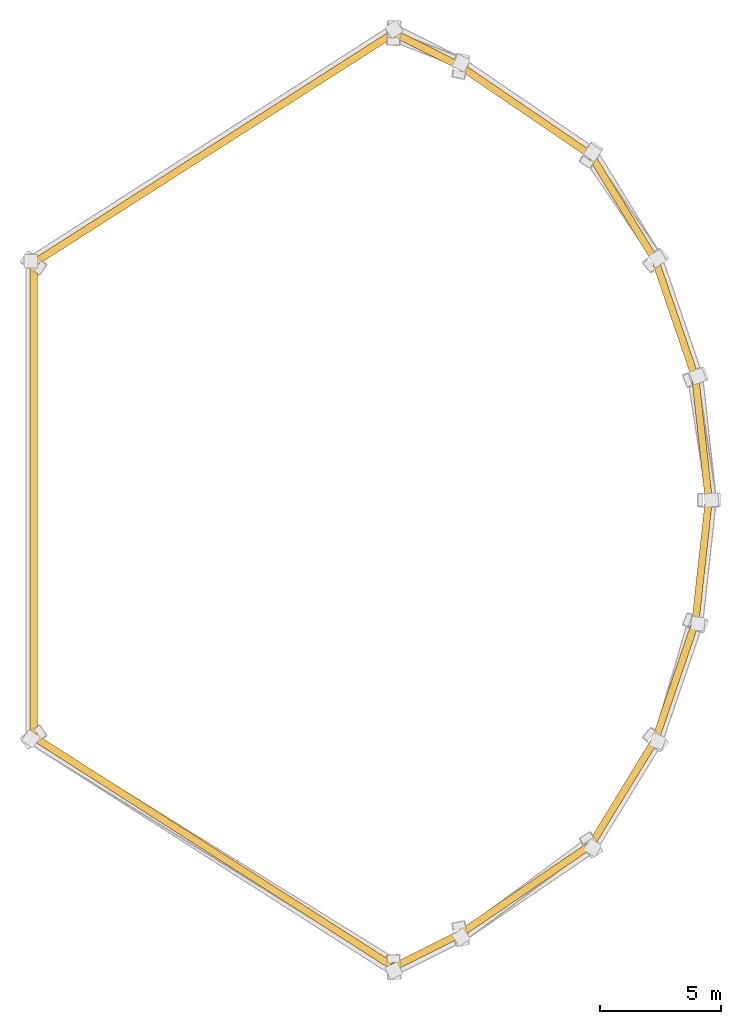
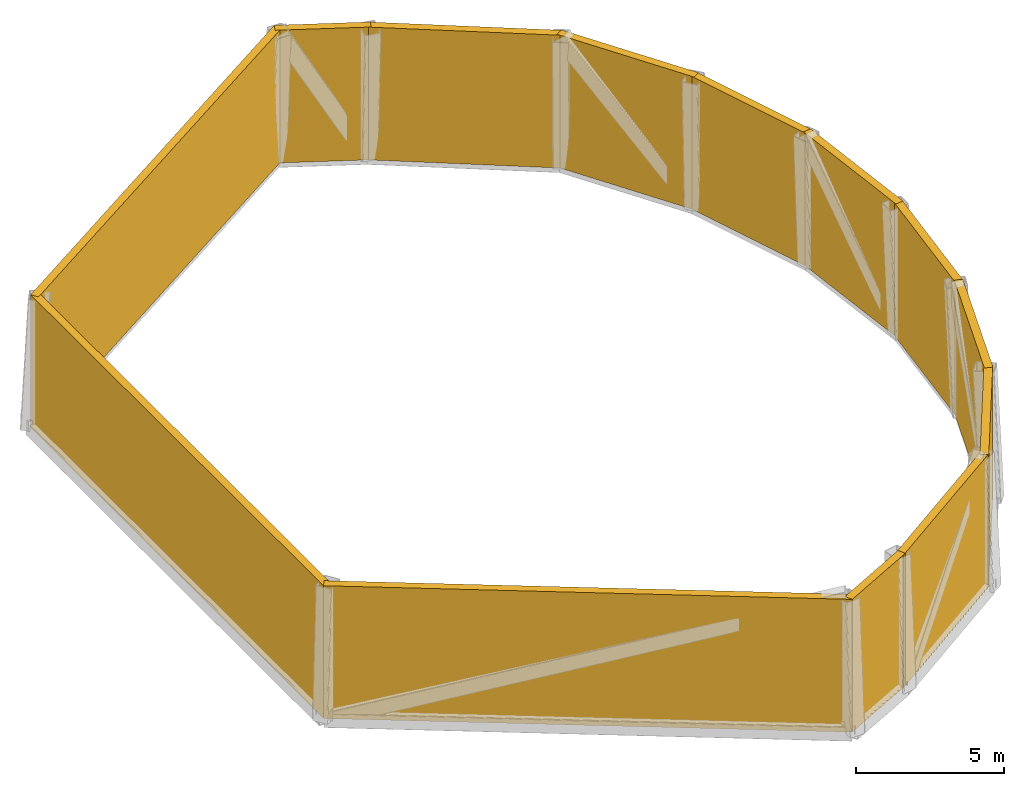
# One storey, part 2 of 2: 13 shading devices.
"""IFC4 building model written with IfcOpenShell, lengths in metres."""

import ifcopenshell
import ifcopenshell.guid

model = None  # the IFC model being written
_history = None  # IfcOwnerHistory: only IFC2X3 demands one
_inside = {}  # id of a spatial element -> (the spatial element, [elements in it])
_under = {}  # id of a project, library or spatial element -> (it, [spatial elements below it])
_declared = {}  # id of a project -> (the project, [libraries it declares])
_typed = {}  # id of a type object -> (the type object, [elements of that type])
_made_of = {}  # id of a material, layer set ... -> (it, [elements and type objects made of it])


def new_model(schema):
    """Start an empty IFC model of exactly this schema.

    Asked for "IFC4X3", IfcOpenShell would pick the latest addendum, in which some entities
    have other attributes; the version numbers below select the first issue.
    IFC2X3 requires an IfcOwnerHistory on every rooted entity: one is made here for all.
    """
    global model, _history
    if schema == "IFC4X3":
        model = ifcopenshell.file(schema_version=(4, 3, 0, 0))
    else:
        model = ifcopenshell.file(schema=schema)
    _inside.clear()
    _under.clear()
    _declared.clear()
    _typed.clear()
    _made_of.clear()
    _history = None
    if model.schema == "IFC2X3":
        org = make("IfcOrganization", Name="unknown")
        user = make(
            "IfcPersonAndOrganization",
            ThePerson=make("IfcPerson", FamilyName="unknown"),
            TheOrganization=org,
        )
        app = make(
            "IfcApplication",
            ApplicationDeveloper=org,
            Version="unknown",
            ApplicationFullName="unknown",
            ApplicationIdentifier="unknown",
        )
        _history = make(
            "IfcOwnerHistory",
            OwningUser=user,
            OwningApplication=app,
            ChangeAction="ADDED",
            CreationDate=0,
        )
    return model


def make(cls, **values):
    """One entity of the class cls with the attributes given. An attribute that is None is left unset."""
    return model.create_entity(
        cls, **{name: value for name, value in values.items() if value is not None}
    )


def rooted(cls, **values):
    """An entity with a GlobalId (a new one), such as an element, a storey or a relation."""
    return make(cls, GlobalId=ifcopenshell.guid.new(), OwnerHistory=_history, **values)


def si_unit(unit_type, name, prefix=None):
    """IfcSIUnit, for example si_unit("LENGTHUNIT", "METRE", prefix="MILLI")."""
    return make("IfcSIUnit", UnitType=unit_type, Prefix=prefix, Name=name)


def assignment(units):
    """IfcUnitAssignment: the units of a project."""
    return None if units is None else make("IfcUnitAssignment", Units=units)


def point(xyz):
    """IfcCartesianPoint."""
    return None if xyz is None else make("IfcCartesianPoint", Coordinates=xyz)


def direction(xyz):
    """IfcDirection."""
    return None if xyz is None else make("IfcDirection", DirectionRatios=xyz)


def frame(location, z_axis=None, x_axis=None):
    """IfcAxis2Placement3D, a coordinate frame: its origin and axes. An axis left out is left unset."""
    return make(
        "IfcAxis2Placement3D",
        Location=point(location),
        Axis=direction(z_axis),
        RefDirection=direction(x_axis),
    )


def frame_2d(location, x_axis=None):
    """IfcAxis2Placement2D, a coordinate frame in the plane: its origin and x axis."""
    return make(
        "IfcAxis2Placement2D", Location=point(location), RefDirection=direction(x_axis)
    )


def origin():
    """The frame at (0, 0, 0) with its axes left unset."""
    return frame((0.0, 0.0, 0.0))


def origin_2d():
    """The frame at (0, 0) in the plane with its x axis left unset."""
    return frame_2d((0.0, 0.0))


def place(relative_to, where):
    """IfcLocalPlacement: puts the frame where relative to a parent placement (None: the world)."""
    return make(
        "IfcLocalPlacement", PlacementRelTo=relative_to, RelativePlacement=where
    )


def context(
    kind, dimensions, precision=None, world=None, true_north=None, identifier=None
):
    """IfcGeometricRepresentationContext, for example the 3D "Model" context."""
    return make(
        "IfcGeometricRepresentationContext",
        ContextIdentifier=identifier,
        ContextType=kind,
        CoordinateSpaceDimension=dimensions,
        Precision=precision,
        WorldCoordinateSystem=world,
        TrueNorth=true_north,
    )


def subcontext(parent, identifier, kind, view, scale=None):
    """IfcGeometricRepresentationSubContext, for example "Body" below "Model"."""
    return make(
        "IfcGeometricRepresentationSubContext",
        ContextIdentifier=identifier,
        ContextType=kind,
        ParentContext=parent,
        TargetScale=scale,
        TargetView=view,
    )


def project(units=None, contexts=None):
    """IfcProject with its units and contexts."""
    return rooted(
        "IfcProject",
        Name="project",
        RepresentationContexts=contexts,
        UnitsInContext=assignment(units),
    )


def spatial(cls, under=None, at=None, **own):
    """A site, building, storey or space (cls), placed at a placement, below another one or the project."""
    s = rooted(cls, ObjectPlacement=at, **own)
    if under is not None:
        _under.setdefault(under.id(), (under, []))[1].append(s)
    return s


def profile(cls, at=None, kind="AREA", **sizes):
    """A parametric profile (cls). Its sizes go by their IFC names, for example OverallWidth=200.0."""
    return make(cls, ProfileType=kind, Position=at, **sizes)


def rectangle(**sizes):
    """IfcRectangleProfileDef."""
    return profile("IfcRectangleProfileDef", **sizes)


def extrude(swept, where, along, depth):
    """IfcExtrudedAreaSolid: the profile swept, set in the frame where, extruded along a direction by depth."""
    return make(
        "IfcExtrudedAreaSolid",
        SweptArea=swept,
        Position=where,
        ExtrudedDirection=direction(along),
        Depth=depth,
    )


def shape(context_of_items, identifier, shape_type, items):
    """IfcShapeRepresentation: the items that make up one representation, for example the "Body"."""
    return make(
        "IfcShapeRepresentation",
        ContextOfItems=context_of_items,
        RepresentationIdentifier=identifier,
        RepresentationType=shape_type,
        Items=items,
    )


def material(Name=None, Category=None):
    """IfcMaterial."""
    return make("IfcMaterial", Name=Name, Category=Category)


def made_of(thing, what):
    """Note that an element or type object is made of a material, layer set ...; save() writes the relation."""
    if what is not None:
        _made_of.setdefault(what.id(), (what, []))[1].append(thing)
    return thing


def type_object(cls, material=None, **own):
    """A type object (cls), such as IfcWallType, which elements share."""
    return made_of(rooted(cls, **own), material)


def element(
    cls,
    number,
    at=None,
    inside=None,
    cuts=None,
    type_object=None,
    material=None,
    context=None,
    identifier="Body",
    shape_type=None,
    held_by="IfcProductDefinitionShape",
    body=None,
    shapes=None,
    **own,
):
    """One element of the class cls, such as IfcWall. Its Tag is "e" and its number.

    at: its placement. inside: the storey or other place that contains it. cuts: it is an
    opening in that element (IfcRelVoidsElement). A single representation is given by context,
    identifier, shape_type and body (its items); several are given by shapes. held_by: the class
    of the entity that holds the representations. save() writes the other relations.
    """
    e = rooted(cls, Tag="e%d" % number, ObjectPlacement=at, **own)
    if body is not None:
        shapes = [shape(context, identifier, shape_type, body)]
    if shapes is not None:
        e.Representation = make(held_by, Representations=shapes)
    if inside is not None:
        _inside.setdefault(inside.id(), (inside, []))[1].append(e)
    if cuts is not None:
        rooted(
            "IfcRelVoidsElement", RelatingBuildingElement=cuts, RelatedOpeningElement=e
        )
    if type_object is not None:
        _typed.setdefault(type_object.id(), (type_object, []))[1].append(e)
    return made_of(e, material)


def aggregate(whole, parts):
    """IfcRelAggregates: a whole, such as a stair, and the parts it consists of."""
    return rooted("IfcRelAggregates", RelatingObject=whole, RelatedObjects=parts)


def save(model, path):
    """Write the relations noted so far, then the file.

    IfcRelAggregates (storeys below a building ...), IfcRelContainedInSpatialStructure (elements
    in a storey), IfcRelDefinesByType, IfcRelAssociatesMaterial and IfcRelDeclares: one each for
    every whole, place, type object, material and project.
    """
    for whole, parts in _under.values():
        aggregate(whole, parts)
    for where, things in _inside.values():
        rooted(
            "IfcRelContainedInSpatialStructure",
            RelatedElements=things,
            RelatingStructure=where,
        )
    for kind, things in _typed.values():
        rooted("IfcRelDefinesByType", RelatedObjects=things, RelatingType=kind)
    for what, things in _made_of.values():
        rooted("IfcRelAssociatesMaterial", RelatedObjects=things, RelatingMaterial=what)
    for by, libraries in _declared.values():
        rooted("IfcRelDeclares", RelatingContext=by, RelatedDefinitions=libraries)
    model.write(path)


model = new_model("IFC4")

# Units and contexts
model_context = context("Model", 3, precision=1e-05, world=origin(), true_north=direction((0.0, 1.0)))
body_context = subcontext(model_context, "Body", "Model", "MODEL_VIEW")
ifc_project = project(units=[si_unit("LENGTHUNIT", "METRE"), si_unit("AREAUNIT", "SQUARE_METRE"), si_unit("VOLUMEUNIT", "CUBIC_METRE"), si_unit("PLANEANGLEUNIT", "RADIAN"), si_unit("MASSUNIT", "GRAM", prefix="KILO")], contexts=[model_context])

# Site, building, storey
site_placement = place(None, origin())
site = spatial("IfcSite", under=ifc_project, at=site_placement, CompositionType="ELEMENT")
building_placement = place(site_placement, origin())
building = spatial("IfcBuilding", under=site, at=building_placement, Name="Qorvath Tower", CompositionType="ELEMENT")
storey_placement = place(building_placement, frame((0.0, 0.0, 339.60009765625)))
storey = spatial("IfcBuildingStorey", under=building, at=storey_placement, Name="L79", CompositionType="ELEMENT", Elevation=339.60009765625)

# Shading devices
ifc_material = material(Name="Anodised bronze-champagne aluminium", Category="aluminium")
shading_device_type = type_object("IfcShadingDeviceType", Name="SD-SCREEN", PredefinedType="USERDEFINED", material=ifc_material)
shading_device_1_placement = place(storey_placement, frame((-34.1650390625, 0.0, -0.0400390625), z_axis=(0.0, 0.0, 1.0), x_axis=(0.0, -1.0, 0.0)))
element("IfcShadingDevice", 1, at=shading_device_1_placement, inside=storey, type_object=shading_device_type, Name="Crown Acoustic Louvre Screen L79-01", PredefinedType="NOTDEFINED", context=body_context, shape_type="SweptSolid", body=[
    extrude(rectangle(XDim=19.802490234375, YDim=0.300048828125, at=origin_2d()), origin(), (0.0, 0.0, 1.0), 5.47998046875),
])
shading_device_2_placement = place(storey_placement, frame((-26.697021484375, -14.59423828125, -0.0400390625), z_axis=(0.0, 0.0, 1.0), x_axis=(0.842605637097, -0.538531095047, 0.0)))
element("IfcShadingDevice", 2, at=shading_device_2_placement, inside=storey, type_object=shading_device_type, Name="Crown Acoustic Louvre Screen L79-02", PredefinedType="NOTDEFINED", context=body_context, shape_type="SweptSolid", body=[
    extrude(rectangle(XDim=17.8857421875, YDim=0.300048828125, at=origin_2d()), origin(), (0.0, 0.0, 1.0), 5.47998046875),
])
shading_device_3_placement = place(storey_placement, frame((-17.845947265625, -18.67529296875, -0.0400390625), z_axis=(0.0, 0.0, 1.0), x_axis=(0.894387779699, 0.447292409421, 0.0)))
element("IfcShadingDevice", 3, at=shading_device_3_placement, inside=storey, type_object=shading_device_type, Name="Crown Acoustic Louvre Screen L79-03", PredefinedType="NOTDEFINED", context=body_context, shape_type="SweptSolid", body=[
    extrude(rectangle(XDim=3.253173828125, YDim=0.300048828125, at=origin_2d()), origin(), (0.0, 0.0, 1.0), 5.47998046875),
])
shading_device_4_placement = place(storey_placement, frame((-13.759033203125, -16.143310546875, -0.0400390625), z_axis=(0.0, 0.0, 1.0), x_axis=(0.82667814412, 0.562675080338, 0.0)))
element("IfcShadingDevice", 4, at=shading_device_4_placement, inside=storey, type_object=shading_device_type, Name="Crown Acoustic Louvre Screen L79-04", PredefinedType="NOTDEFINED", context=body_context, shape_type="SweptSolid", body=[
    extrude(rectangle(XDim=6.700927734375, YDim=0.300048828125, at=origin_2d()), origin(), (0.0, 0.0, 1.0), 5.47998046875),
])
for number, where, z_axis, x_axis, name in (
    (5, (-9.718994140625, -12.119140625, -0.0400390625), (0.0, 0.0, 1.0), (0.521906159851, 0.853002907562, 0.0), "Crown Acoustic Louvre Screen L79-05"),
    (6, (-7.554443359375, -7.512451171875, -0.0400390625), (0.0, 0.0, 1.0), (0.323529351807, 0.946218134744, 0.0), "Crown Acoustic Louvre Screen L79-06"),
    (7, (-6.445556640625, -2.544921875, -0.0400390625), (0.0, 0.0, 1.0), (0.109616344658, 0.993973971985, 0.0), "Crown Acoustic Louvre Screen L79-07"),
    (8, (-6.445556640625, 2.544921875, -0.0400390625), (0.0, 0.0, 1.0), (-0.109616344658, 0.993973971985, 0.0), "Crown Acoustic Louvre Screen L79-08"),
    (9, (-7.554443359375, 7.512451171875, -0.0400390625), (0.0, 0.0, 1.0), (-0.323529351807, 0.946218134744, 0.0), "Crown Acoustic Louvre Screen L79-09"),
    (10, (-9.718994140625, 12.119140625, -0.0400390625), (0.0, 0.0, 1.0), (-0.521906159851, 0.853002907562, 0.0), "Crown Acoustic Louvre Screen L79-10"),
):
    element("IfcShadingDevice", number, at=place(storey_placement, frame(where, z_axis=z_axis, x_axis=x_axis)), inside=storey, type_object=shading_device_type, Name=name, PredefinedType="NOTDEFINED", context=body_context, shape_type="SweptSolid", body=[
        extrude(rectangle(XDim=5.28076171875, YDim=0.300048828125, at=origin_2d()), origin(), (0.0, 0.0, 1.0), 5.47998046875),
    ])
shading_device_5_placement = place(storey_placement, frame((-13.759033203125, 16.143310546875, -0.0400390625), z_axis=(0.0, 0.0, 1.0), x_axis=(-0.82667814412, 0.562675080338, 0.0)))
element("IfcShadingDevice", 11, at=shading_device_5_placement, inside=storey, type_object=shading_device_type, Name="Crown Acoustic Louvre Screen L79-11", PredefinedType="NOTDEFINED", context=body_context, shape_type="SweptSolid", body=[
    extrude(rectangle(XDim=6.700927734375, YDim=0.300048828125, at=origin_2d()), origin(), (0.0, 0.0, 1.0), 5.47998046875),
])
shading_device_6_placement = place(storey_placement, frame((-17.845947265625, 18.67529296875, -0.0400390625), z_axis=(0.0, 0.0, 1.0), x_axis=(-0.894387779699, 0.447292409421, 0.0)))
element("IfcShadingDevice", 12, at=shading_device_6_placement, inside=storey, type_object=shading_device_type, Name="Crown Acoustic Louvre Screen L79-12", PredefinedType="NOTDEFINED", context=body_context, shape_type="SweptSolid", body=[
    extrude(rectangle(XDim=3.253173828125, YDim=0.300048828125, at=origin_2d()), origin(), (0.0, 0.0, 1.0), 5.47998046875),
])
shading_device_7_placement = place(storey_placement, frame((-26.697021484375, 14.59423828125, -0.0400390625), z_axis=(0.0, 0.0, 1.0), x_axis=(-0.842605637097, -0.538531095047, 0.0)))
element("IfcShadingDevice", 13, at=shading_device_7_placement, inside=storey, type_object=shading_device_type, Name="Crown Acoustic Louvre Screen L79-13", PredefinedType="NOTDEFINED", context=body_context, shape_type="SweptSolid", body=[
    extrude(rectangle(XDim=17.8857421875, YDim=0.300048828125, at=origin_2d()), origin(), (0.0, 0.0, 1.0), 5.47998046875),
])

save(model, "model.ifc")
